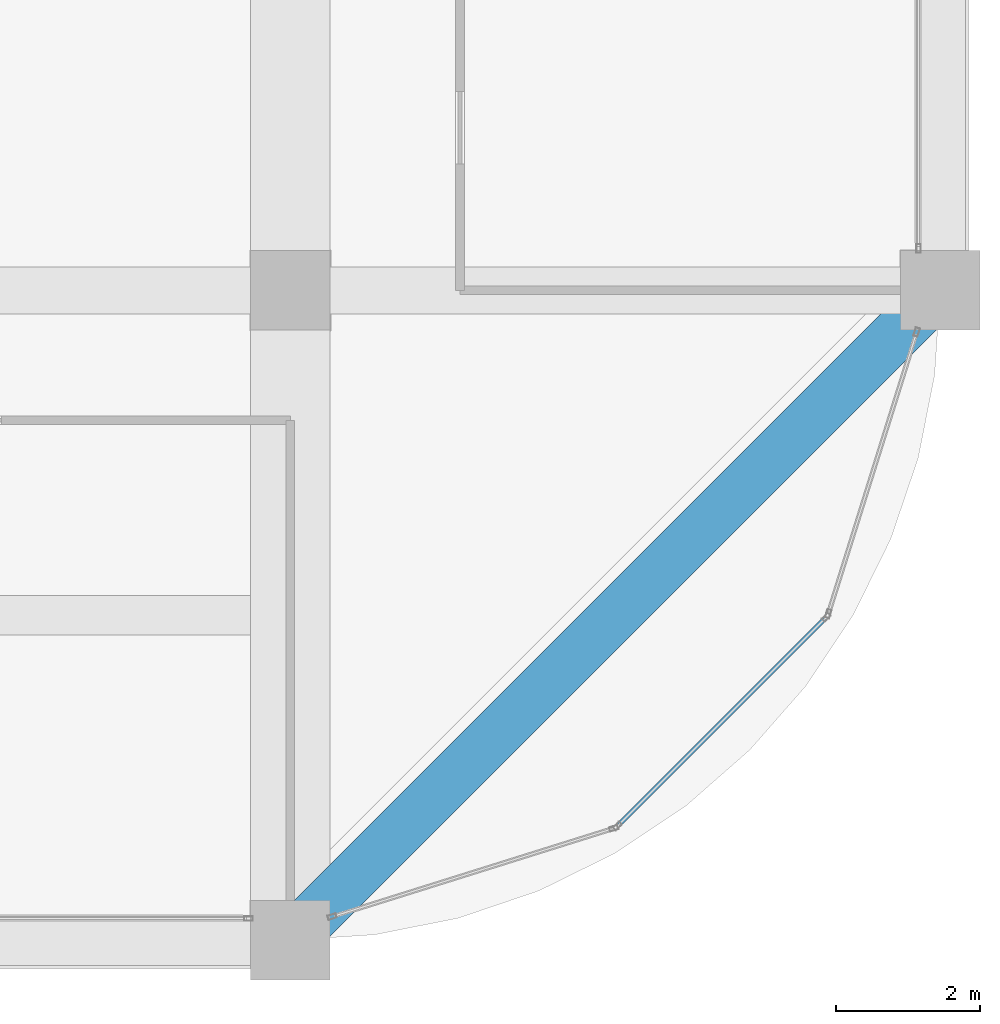
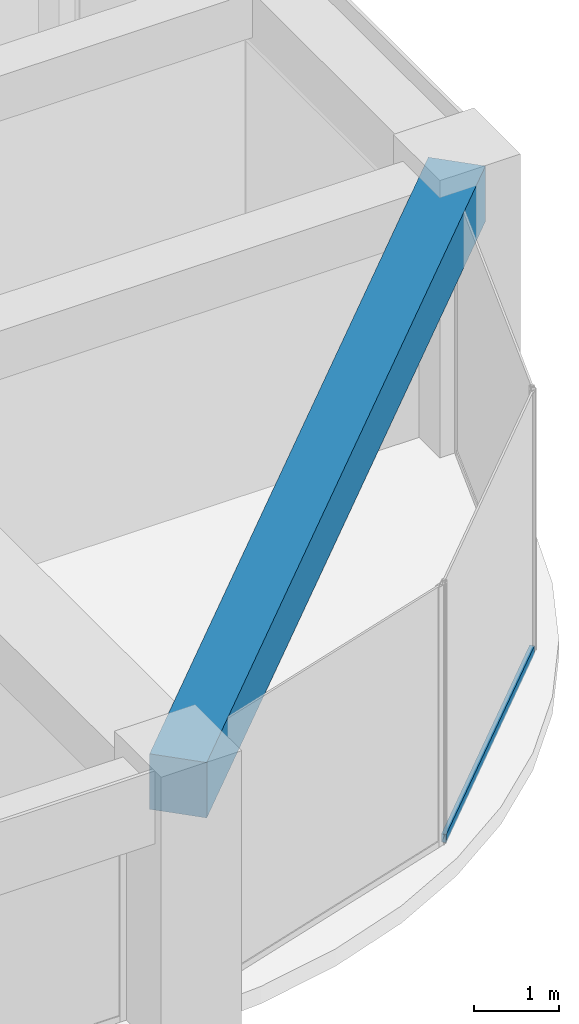
# One storey, part 19 of 44: 1 beam, 1 member, 1 element without a shape of its own.
"""IFC4 building model written with IfcOpenShell, lengths in metres."""

from ifc_helpers import new_model, si_unit, direction, frame, origin, origin_2d, place, context, subcontext, project, spatial, rectangle, hollow_rectangle, extrude, material, material_profile, profile_set, type_object, element, aggregate, save


model = new_model("IFC4")

# Units and contexts
model_context = context("Model", 3, precision=1e-05, world=origin(), true_north=direction((0.0, 1.0)))
body_context = subcontext(model_context, "Body", "Model", "MODEL_VIEW")
ifc_project = project(units=[si_unit("LENGTHUNIT", "METRE"), si_unit("AREAUNIT", "SQUARE_METRE"), si_unit("VOLUMEUNIT", "CUBIC_METRE"), si_unit("PLANEANGLEUNIT", "RADIAN"), si_unit("MASSUNIT", "GRAM", prefix="KILO")], contexts=[model_context])

# Site, building, storey
site_placement = place(None, origin())
site = spatial("IfcSite", under=ifc_project, at=site_placement, CompositionType="ELEMENT")
building_placement = place(site_placement, origin())
building = spatial("IfcBuilding", under=site, at=building_placement, Name="Zorevar Civic Tower", CompositionType="ELEMENT")
storey_placement = place(building_placement, frame((0.0, 0.0, 271.39990234375)))
storey = spatial("IfcBuildingStorey", under=building, at=storey_placement, Name="L66", CompositionType="ELEMENT", Elevation=271.39990234375)

# Curtain wall, member
ifc_material_1 = material(Name="Dark grey solar-control glass in black aluminium frame", Category="aluminium")
curtain_wall_type = type_object("IfcCurtainWallType", Name="Curtain wall CW5 top zone", PredefinedType="NOTDEFINED", material=ifc_material_1)
curtain_wall_placement = place(storey_placement, origin())
curtain_wall = element("IfcCurtainWall", 1, at=curtain_wall_placement, inside=storey, type_object=curtain_wall_type, Name="CW5 L66", PredefinedType="NOTDEFINED")
ifc_material_2 = material(Name="Aluminium, black anodised", Category="aluminium")
ifc_material_profile_1 = material_profile(ifc_material_2, hollow_rectangle(XDim=0.06005859375, YDim=0.1201171875, WallThickness=0.0029296875, at=origin_2d()), Name="AL 120x60x3")
ifc_profile_set_1 = profile_set([ifc_material_profile_1], Name="Aluminium, black anodised")
member_type = type_object("IfcMemberType", Name="CW5 transom AL 120x60x3", PredefinedType="USERDEFINED", material=ifc_profile_set_1)
member_placement = place(storey_placement, frame((49.55029296875, 1.6015625, 0.030029296875), z_axis=(0.707106781187, 0.707106781187, 0.0), x_axis=(-0.707106781187, 0.707106781187, 0.0)))
member = element("IfcMember", 2, at=member_placement, type_object=member_type, Name="CW5 sill transom", ObjectType="TRANSOM", PredefinedType="USERDEFINED", context=body_context, shape_type="SweptSolid", body=[
    extrude(hollow_rectangle(XDim=0.06005859375, YDim=0.1201171875, WallThickness=0.0029296875, at=origin_2d()), origin(), (0.0, 0.0, 1.0), 4.02783203125),
])
aggregate(curtain_wall, [member])

# Beam
ifc_material_3 = material(Name="Concrete C50/60", Category="concrete")
ifc_material_profile_2 = material_profile(ifc_material_3, rectangle(XDim=0.699951171875, YDim=0.800048828125, at=origin_2d()), Name="RC 700x800")
ifc_profile_set_2 = profile_set([ifc_material_profile_2], Name="Concrete C50/60")
beam_type = type_object("IfcBeamType", Name="Edge beam RC 700x800", PredefinedType="SPANDREL", material=ifc_profile_set_2)
beam_placement = place(storey_placement, frame((45.0, 0.0, 3.35009765625), z_axis=(0.707106781187, 0.707106781187, 0.0), x_axis=(-0.707106781187, 0.707106781187, 0.0)))
element("IfcBeam", 3, at=beam_placement, inside=storey, type_object=beam_type, Name="Corner edge beam L67", PredefinedType="SPANDREL", context=body_context, shape_type="SweptSolid", body=[
    extrude(rectangle(XDim=0.699951171875, YDim=0.800048828125, at=origin_2d()), origin(), (0.0, 0.0, 1.0), 12.72802734375),
])

save(model, "model.ifc")
